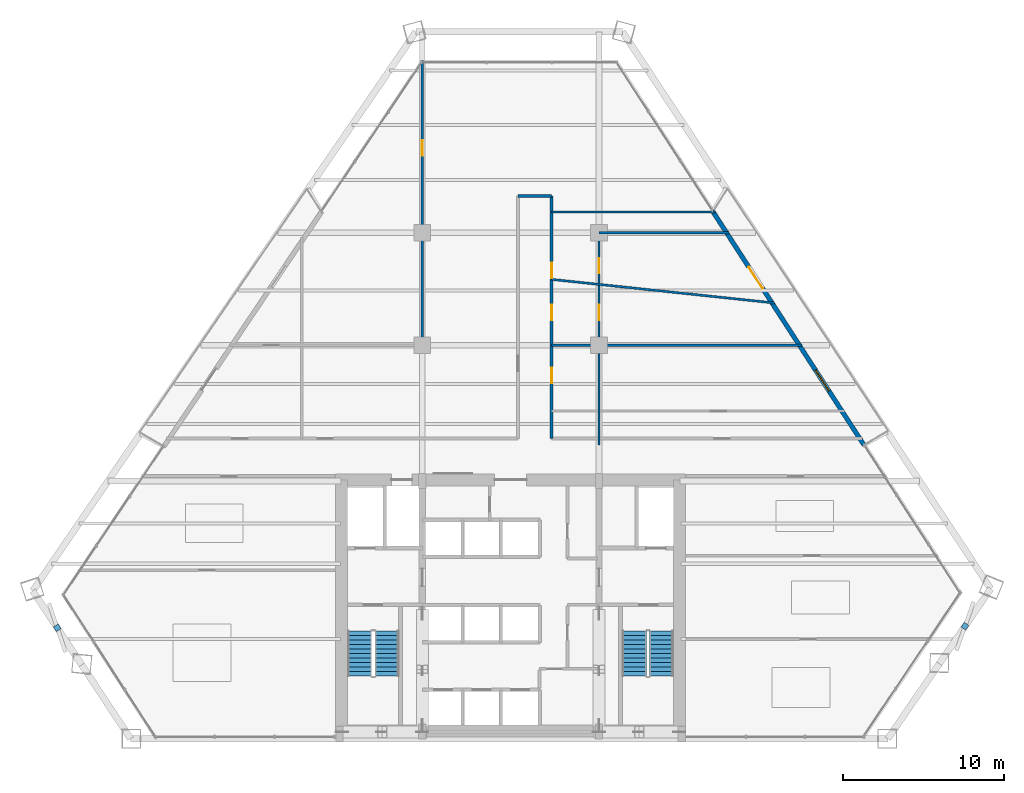
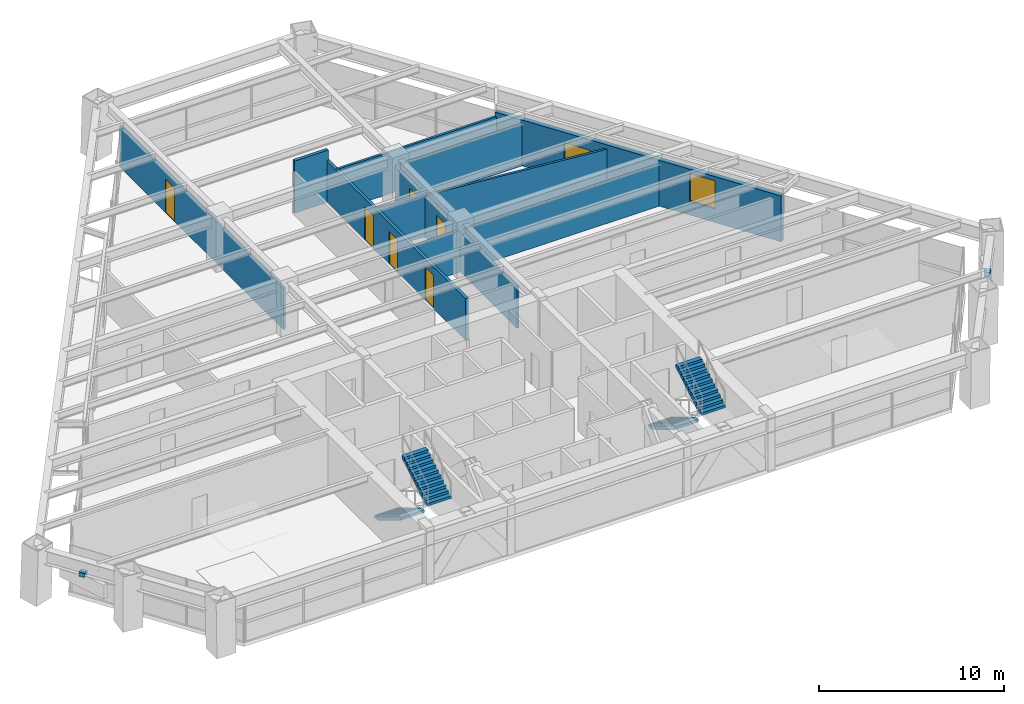
# One storey, part 12 of 14: 9 walls, 7 doors, 4 stair flights, 2 discrete accessories, 1 window, 8 openings, 2 elements without a shape of their own.
"""IFC4 building model written with IfcOpenShell, lengths in metres."""

from ifc_helpers import new_model, si_unit, direction, frame, frame_2d, origin, origin_2d, place, context, subcontext, project, spatial, polyline, rectangle, outline, extrude, source, transform, mapped, material, layer, layer_set, type_object, type_shapes, element, fill, aggregate, save


model = new_model("IFC4")

# Units and contexts
model_context = context("Model", 3, precision=1e-05, world=origin(), true_north=direction((0.0, 1.0)))
body_context = subcontext(model_context, "Body", "Model", "MODEL_VIEW")
ifc_project = project(units=[si_unit("LENGTHUNIT", "METRE"), si_unit("AREAUNIT", "SQUARE_METRE"), si_unit("VOLUMEUNIT", "CUBIC_METRE"), si_unit("PLANEANGLEUNIT", "RADIAN"), si_unit("MASSUNIT", "GRAM", prefix="KILO")], contexts=[model_context])

# Site, building, storey
site_placement = place(None, origin())
site = spatial("IfcSite", under=ifc_project, at=site_placement, CompositionType="ELEMENT")
building_placement = place(site_placement, origin())
building = spatial("IfcBuilding", under=site, at=building_placement, Name="Varnakhor Terracotta Tower", CompositionType="ELEMENT")
storey_placement = place(building_placement, frame((0.0, 0.0, 95.10009765625)))
storey = spatial("IfcBuildingStorey", under=building, at=storey_placement, Name="L23", CompositionType="ELEMENT", Elevation=95.10009765625)

# Wall, openings, doors
ifc_material_1 = material(Name="Fire-Rated Gypsum Stud Partition", Category="gypsum")
ifc_layer_1 = layer(ifc_material_1, 0.18505859375, Name="Fire-Rated Gypsum Stud Partition")
ifc_layer_set_1 = layer_set([ifc_layer_1], Name="Fire-Rated Gypsum Stud Partition")
wall_type_1 = type_object("IfcWallType", Name="WAL-CORR-185", PredefinedType="PARTITIONING", material=ifc_layer_set_1)
wall_1_placement = place(storey_placement, frame((2.550048828125, 18.699951171875, 0.0), z_axis=(0.0, 0.0, 1.0), x_axis=(0.0, 1.0, 0.0)))
wall_1 = element("IfcWall", 1, at=wall_1_placement, inside=storey, type_object=wall_type_1, Name="L23 Spine East Wall", PredefinedType="PARTITIONING", context=body_context, shape_type="SweptSolid", body=[
    extrude(rectangle(XDim=15.10009765625, YDim=0.18505859375, at=frame_2d((7.550048828125, 0.0))), origin(), (0.0, 0.0, 1.0), 2.746826171875),
])
opening_1_placement = place(wall_1_placement, frame((9.97998046875, 0.0, 0.0)))
opening_1 = element("IfcOpeningElement", 2, at=opening_1_placement, cuts=wall_1, Name="Opening DR-94", PredefinedType="OPENING", context=body_context, shape_type="SweptSolid", body=[
    extrude(rectangle(XDim=0.949951171875, YDim=2.199951171875, at=frame_2d((0.47509765625, 1.10009765625))), frame((0.0, 0.1025390625, 0.0), z_axis=(0.0, -1.0, 0.0), x_axis=(1.0, 0.0, 0.0)), (0.0, 0.0, 1.0), 0.205078125),
])
opening_2_placement = place(wall_1_placement, frame((3.446044921875, 0.0, 0.0)))
opening_2 = element("IfcOpeningElement", 3, at=opening_2_placement, cuts=wall_1, Name="Opening DR-94", PredefinedType="OPENING", context=body_context, shape_type="SweptSolid", body=[
    extrude(rectangle(XDim=0.949951171875, YDim=2.199951171875, at=frame_2d((0.47509765625, 1.10009765625))), frame((0.0, 0.1025390625, 0.0), z_axis=(0.0, -1.0, 0.0), x_axis=(1.0, 0.0, 0.0)), (0.0, 0.0, 1.0), 0.205078125),
])
opening_3_placement = place(wall_1_placement, frame((7.356201171875, 0.0, 0.0)))
opening_3 = element("IfcOpeningElement", 4, at=opening_3_placement, cuts=wall_1, Name="Opening DR-94", PredefinedType="OPENING", context=body_context, shape_type="SweptSolid", body=[
    extrude(rectangle(XDim=0.949951171875, YDim=2.199951171875, at=frame_2d((0.47509765625, 1.10009765625))), frame((0.0, 0.1025390625, 0.0), z_axis=(0.0, -1.0, 0.0), x_axis=(1.0, 0.0, 0.0)), (0.0, 0.0, 1.0), 0.205078125),
])
ifc_material_2 = material(Name="Acoustic Glazed-Vision Timber Office Door", Category="wood")
door_type_1 = type_object("IfcDoorType", Name="DR-OFF-950X2200", OperationType="NOTDEFINED", PredefinedType="DOOR", material=ifc_material_2)
shared_shape_1 = source(origin(), body_context, "Body", "SweptSolid", [
    extrude(rectangle(XDim=0.949951171875, YDim=2.199951171875, at=frame_2d((0.47509765625, 1.10009765625))), frame((0.0, 0.02490234375, 0.0), z_axis=(0.0, -1.0, 0.0), x_axis=(1.0, 0.0, 0.0)), (0.0, 0.0, 1.0), 0.050048828125),
])
type_shapes(door_type_1, [shared_shape_1])
door_1_placement = place(opening_1_placement, origin())
door_1 = element("IfcDoor", 5, at=door_1_placement, inside=storey, type_object=door_type_1, Name="L23 Spine East Door", OperationType="SINGLE_SWING_LEFT", OverallHeight=2.199951171875, OverallWidth=0.949951171875, PredefinedType="DOOR", context=body_context, shape_type="MappedRepresentation", body=[
    mapped(shared_shape_1, transform((0.0, 0.0, 0.0), scale=1.0)),
])
fill(opening_1, door_1)
door_2_placement = place(opening_2_placement, origin())
door_2 = element("IfcDoor", 6, at=door_2_placement, inside=storey, type_object=door_type_1, Name="L23 Advisory Office E2 B10 Door", OperationType="SINGLE_SWING_RIGHT", OverallHeight=2.199951171875, OverallWidth=0.949951171875, PredefinedType="DOOR", context=body_context, shape_type="MappedRepresentation", body=[
    mapped(shared_shape_1, transform((0.0, 0.0, 0.0), scale=1.0)),
])
fill(opening_2, door_2)
door_3_placement = place(opening_3_placement, origin())
door_3 = element("IfcDoor", 7, at=door_3_placement, inside=storey, type_object=door_type_1, Name="L23 Boardroom Apex B12 Door", OperationType="SINGLE_SWING_LEFT", OverallHeight=2.199951171875, OverallWidth=0.949951171875, PredefinedType="DOOR", context=body_context, shape_type="MappedRepresentation", body=[
    mapped(shared_shape_1, transform((0.0, 0.0, 0.0), scale=1.0)),
])
fill(opening_3, door_3)

# Wall
wall_2_placement = place(storey_placement, frame((0.449951171875, 33.800048828125, 0.0), z_axis=(0.0, 0.0, 1.0), x_axis=(1.0, 0.0, 0.0)))
element("IfcWall", 8, at=wall_2_placement, inside=storey, type_object=wall_type_1, Name="L23 Spine North End Wall", PredefinedType="PARTITIONING", context=body_context, shape_type="SweptSolid", body=[
    extrude(rectangle(XDim=2.10009765625, YDim=0.18505859375, at=frame_2d((1.050048828125, 0.0))), origin(), (0.0, 0.0, 1.0), 3.44189453125),
])

# Wall, openings, door, window
ifc_material_3 = material(Name="Extruded Architectural Terracotta Assembly", Category="masonry")
ifc_layer_2 = layer(ifc_material_3, 0.280029296875, Name="Extruded Architectural Terracotta Assembly")
ifc_layer_set_2 = layer_set([ifc_layer_2], Name="Extruded Architectural Terracotta Assembly")
wall_type_2 = type_object("IfcWallType", Name="WAL-EXT-TERRACOTTA-280", PredefinedType="SOLIDWALL", material=ifc_layer_set_2)
wall_3_placement = place(storey_placement, frame((12.557861328125, 32.869140625, 0.0), z_axis=(0.0, 0.0, 1.0), x_axis=(0.543391713386, -0.839479270634, 0.0)))
wall_3 = element("IfcWall", 9, at=wall_3_placement, inside=storey, type_object=wall_type_2, Name="L23 E Loggia Insulated Terracotta Wall", PredefinedType="SOLIDWALL", context=body_context, shape_type="SweptSolid", body=[
    extrude(rectangle(XDim=17.370849609375, YDim=0.280029296875, at=frame_2d((8.685546875, 0.0))), origin(), (0.0, 0.0, 1.0), 3.02978515625),
])
opening_4_placement = place(wall_3_placement, frame((4.1689453125, 0.0, 0.0)))
opening_4 = element("IfcOpeningElement", 10, at=opening_4_placement, cuts=wall_3, Name="Opening DR-62", PredefinedType="OPENING", context=body_context, shape_type="SweptSolid", body=[
    extrude(rectangle(XDim=1.60009765625, YDim=2.35009765625, at=frame_2d((0.800048828125, 1.175048828125))), frame((0.0, 0.14990234375, 0.0), z_axis=(0.0, -1.0, 0.0), x_axis=(1.0, 0.0, 0.0)), (0.0, 0.0, 1.0), 0.300048828125),
])
opening_5_placement = place(wall_3_placement, frame((11.812255859375, 0.0, 0.89990234375)))
opening_5 = element("IfcOpeningElement", 11, at=opening_5_placement, cuts=wall_3, Name="Opening WN-57", PredefinedType="OPENING", context=body_context, shape_type="SweptSolid", body=[
    extrude(rectangle(XDim=1.550048828125, YDim=1.85009765625, at=frame_2d((0.77490234375, 0.925048828125))), frame((0.0, 0.14990234375, 0.0), z_axis=(0.0, -1.0, 0.0), x_axis=(1.0, 0.0, 0.0)), (0.0, 0.0, 1.0), 0.300048828125),
])
ifc_material_4 = material(Name="Thermally Broken Sliding Glass Loggia Door", Category="glass")
door_type_2 = type_object("IfcDoorType", Name="DR-EXT-LOGGIA-1600X2350", OperationType="NOTDEFINED", PredefinedType="DOOR", material=ifc_material_4)
shared_shape_2 = source(origin(), body_context, "Body", "SweptSolid", [
    extrude(rectangle(XDim=1.60009765625, YDim=2.35009765625, at=frame_2d((0.800048828125, 1.175048828125))), frame((0.0, 0.02490234375, 0.0), z_axis=(0.0, -1.0, 0.0), x_axis=(1.0, 0.0, 0.0)), (0.0, 0.0, 1.0), 0.050048828125),
])
type_shapes(door_type_2, [shared_shape_2])
door_4_placement = place(opening_4_placement, origin())
door_4 = element("IfcDoor", 12, at=door_4_placement, inside=storey, type_object=door_type_2, Name="L23 E Recessed Loggia Sliding Door", OperationType="SLIDING_TO_RIGHT", OverallHeight=2.35009765625, OverallWidth=1.60009765625, PredefinedType="DOOR", context=body_context, shape_type="MappedRepresentation", body=[
    mapped(shared_shape_2, transform((0.0, 0.0, 0.0), scale=1.0)),
])
fill(opening_4, door_4)
ifc_material_5 = material(Name="Solar-Control Low-E Insulated Glass Unit", Category="glass")
window_type = type_object("IfcWindowType", Name="WIN-OFF-1650X2100", PartitioningType="SINGLE_PANEL", PredefinedType="WINDOW", material=ifc_material_5)
shared_shape_3 = source(origin(), body_context, "Body", "SweptSolid", [
    extrude(rectangle(XDim=1.550048828125, YDim=1.85009765625, at=frame_2d((0.77490234375, 0.925048828125))), frame((0.0, 0.030029296875, 0.0), z_axis=(0.0, -1.0, 0.0), x_axis=(1.0, 0.0, 0.0)), (0.0, 0.0, 1.0), 0.06005859375),
])
type_shapes(window_type, [shared_shape_3])
window_placement = place(opening_5_placement, origin())
window = element("IfcWindow", 13, at=window_placement, inside=storey, type_object=window_type, Name="L23 E Facet Punched Window", OverallHeight=1.85009765625, OverallWidth=1.550048828125, PartitioningType="SINGLE_PANEL", PredefinedType="WINDOW", context=body_context, shape_type="MappedRepresentation", body=[
    mapped(shared_shape_3, transform((0.0, 0.0, 0.0), scale=1.0)),
])
fill(opening_5, window)

# Wall, opening, door
ifc_material_6 = material(Name="Acoustic Metal-Stud Partition", Category="gypsum")
ifc_layer_3 = layer(ifc_material_6, 0.139892578125, Name="Acoustic Metal-Stud Partition")
ifc_layer_set_3 = layer_set([ifc_layer_3], Name="Acoustic Metal-Stud Partition")
wall_type_3 = type_object("IfcWallType", Name="WAL-PART-140", PredefinedType="PARTITIONING", material=ifc_layer_set_3)
wall_4_placement = place(storey_placement, frame((-5.5, 24.5, 0.0), z_axis=(0.0, 0.0, 1.0), x_axis=(0.0, 1.0, 0.0)))
wall_4 = element("IfcWall", 14, at=wall_4_placement, inside=storey, type_object=wall_type_3, Name="L23 West Upper Column Wall", PredefinedType="PARTITIONING", context=body_context, shape_type="SweptSolid", body=[
    extrude(rectangle(XDim=17.715087890625, YDim=0.139892578125, at=frame_2d((8.857421875, 0.0))), origin(), (0.0, 0.0, 1.0), 2.746826171875),
])
opening_6_placement = place(wall_4_placement, frame((11.800537109375, 0.0, 0.0)))
opening_6 = element("IfcOpeningElement", 15, at=opening_6_placement, cuts=wall_4, Name="Opening DR-94", PredefinedType="OPENING", context=body_context, shape_type="SweptSolid", body=[
    extrude(rectangle(XDim=0.949951171875, YDim=2.199951171875, at=frame_2d((0.47509765625, 1.10009765625))), frame((0.0, 0.080078125, 0.0), z_axis=(0.0, -1.0, 0.0), x_axis=(1.0, 0.0, 0.0)), (0.0, 0.0, 1.0), 0.159912109375),
])
door_5_placement = place(opening_6_placement, origin())
door_5 = element("IfcDoor", 16, at=door_5_placement, inside=storey, type_object=door_type_1, Name="L23 Client Lounge Door", OperationType="SINGLE_SWING_LEFT", OverallHeight=2.199951171875, OverallWidth=0.949951171875, PredefinedType="DOOR", context=body_context, shape_type="MappedRepresentation", body=[
    mapped(shared_shape_1, transform((0.0, 0.0, 0.0), scale=1.0)),
])
fill(opening_6, door_5)

# Wall, openings, doors
wall_5_placement = place(storey_placement, frame((5.5, 18.300048828125, 0.0), z_axis=(0.0, 0.0, 1.0), x_axis=(0.0, 1.0, 0.0)))
wall_5 = element("IfcWall", 17, at=wall_5_placement, inside=storey, type_object=wall_type_3, Name="L23 East Lower Column Wall", PredefinedType="PARTITIONING", context=body_context, shape_type="SweptSolid", body=[
    extrude(rectangle(XDim=13.199951171875, YDim=0.139892578125, at=frame_2d((6.60009765625, 0.0))), origin(), (0.0, 0.0, 1.0), 2.746826171875),
])
opening_7_placement = place(wall_5_placement, frame((10.671142578125, 0.0, 0.0)))
opening_7 = element("IfcOpeningElement", 18, at=opening_7_placement, cuts=wall_5, Name="Opening DR-94", PredefinedType="OPENING", context=body_context, shape_type="SweptSolid", body=[
    extrude(rectangle(XDim=0.949951171875, YDim=2.199951171875, at=frame_2d((0.47509765625, 1.10009765625))), frame((0.0, 0.080078125, 0.0), z_axis=(0.0, -1.0, 0.0), x_axis=(1.0, 0.0, 0.0)), (0.0, 0.0, 1.0), 0.159912109375),
])
opening_8_placement = place(wall_5_placement, frame((7.767333984375, 0.0, 0.0)))
opening_8 = element("IfcOpeningElement", 19, at=opening_8_placement, cuts=wall_5, Name="Opening DR-94", PredefinedType="OPENING", context=body_context, shape_type="SweptSolid", body=[
    extrude(rectangle(XDim=0.949951171875, YDim=2.199951171875, at=frame_2d((0.47509765625, 1.10009765625))), frame((0.0, 0.080078125, 0.0), z_axis=(0.0, -1.0, 0.0), x_axis=(1.0, 0.0, 0.0)), (0.0, 0.0, 1.0), 0.159912109375),
])
door_6_placement = place(opening_7_placement, origin())
door_6 = element("IfcDoor", 20, at=door_6_placement, inside=storey, type_object=door_type_1, Name="L23 Pantry Kitchenette Door", OperationType="SINGLE_SWING_RIGHT", OverallHeight=2.199951171875, OverallWidth=0.949951171875, PredefinedType="DOOR", context=body_context, shape_type="MappedRepresentation", body=[
    mapped(shared_shape_1, transform((0.0, 0.0, 0.0), scale=1.0)),
])
fill(opening_7, door_6)
door_7_placement = place(opening_8_placement, origin())
door_7 = element("IfcDoor", 21, at=door_7_placement, inside=storey, type_object=door_type_1, Name="L23 Boardroom Apex Door", OperationType="SINGLE_SWING_LEFT", OverallHeight=2.199951171875, OverallWidth=0.949951171875, PredefinedType="DOOR", context=body_context, shape_type="MappedRepresentation", body=[
    mapped(shared_shape_1, transform((0.0, 0.0, 0.0), scale=1.0)),
])
fill(opening_8, door_7)

# Walls
wall_6_placement = place(storey_placement, frame((5.5, 31.5, 0.0), z_axis=(0.0, 0.0, 1.0), x_axis=(1.0, 0.0, 0.0)))
element("IfcWall", 22, at=wall_6_placement, inside=storey, type_object=wall_type_3, Name="L23 North East Column Wall", PredefinedType="PARTITIONING", context=body_context, shape_type="SweptSolid", body=[
    extrude(rectangle(XDim=8.098876953125, YDim=0.139892578125, at=frame_2d((4.04931640625, 0.0))), origin(), (0.0, 0.0, 1.0), 2.746826171875),
])
wall_7_placement = place(storey_placement, frame((2.550048828125, 24.5, 0.0), z_axis=(0.0, 0.0, 1.0), x_axis=(1.0, 0.0, 0.0)))
element("IfcWall", 23, at=wall_7_placement, inside=storey, type_object=wall_type_3, Name="L23 East Wing Cut 2", PredefinedType="PARTITIONING", context=body_context, shape_type="SweptSolid", body=[
    extrude(rectangle(XDim=15.579833984375, YDim=0.139892578125, at=frame_2d((7.7900390625, 0.0))), origin(), (0.0, 0.0, 1.0), 2.746826171875),
])
wall_8_placement = place(storey_placement, frame((2.550048828125, 28.60009765625, 0.0), z_axis=(0.0, 0.0, 1.0), x_axis=(0.994445276421, -0.105254891588, 0.0)))
element("IfcWall", 24, at=wall_8_placement, inside=storey, type_object=wall_type_3, Name="L23 East Wing Cut 3", PredefinedType="PARTITIONING", context=body_context, shape_type="SweptSolid", body=[
    extrude(rectangle(XDim=13.9541015625, YDim=0.139892578125, at=frame_2d((6.97705078125, 0.0))), origin(), (0.0, 0.0, 1.0), 2.746826171875),
])
wall_9_placement = place(storey_placement, frame((2.550048828125, 32.800048828125, 0.0), z_axis=(0.0, 0.0, 1.0), x_axis=(1.0, 0.0, 0.0)))
element("IfcWall", 25, at=wall_9_placement, inside=storey, type_object=wall_type_3, Name="L23 East Wing Cut 4", PredefinedType="PARTITIONING", context=body_context, shape_type="SweptSolid", body=[
    extrude(rectangle(XDim=10.20751953125, YDim=0.139892578125, at=frame_2d((5.103759765625, 0.0))), origin(), (0.0, 0.0, 1.0), 2.746826171875),
])

# Stair, stair flights
ifc_material_7 = material(Name="Concrete C40/50", Category="concrete")
stair_type = type_object("IfcStairType", Name="STR-CORE-OFFICE-1500", PredefinedType="HALF_TURN_STAIR", material=ifc_material_7)
stair_1_placement = place(storey_placement, origin())
stair_1 = element("IfcStair", 26, at=stair_1_placement, inside=storey, type_object=stair_type, Name="L23 Core Exit Stair ST-1", PredefinedType="HALF_TURN_STAIR")
stair_flight_type = type_object("IfcStairFlightType", Name="FLT-CORE-1500", PredefinedType="STRAIGHT", material=ifc_material_7)
stair_flight_1_placement = place(storey_placement, frame((-9.39990234375, 6.7099609375, 0.0), z_axis=(0.0, 0.0, 1.0), x_axis=(0.0, -1.0, 0.0)))
stair_flight_1 = element("IfcStairFlight", 27, at=stair_flight_1_placement, type_object=stair_flight_type, Name="ST-1 flight 1", NumberOfRisers=11, NumberOfTreads=10, PredefinedType="STRAIGHT", RiserHeight=0.168181818, TreadLength=0.28, context=body_context, shape_type="SweptSolid", body=[
    extrude(outline(polyline([(0.0, 0.0), (0.0, 0.168212890625), (0.280029296875, 0.168212890625), (0.280029296875, 0.33642578125), (0.56005859375, 0.33642578125), (0.56005859375, 0.504638671875), (0.840087890625, 0.504638671875), (0.840087890625, 0.672607421875), (1.1201171875, 0.672607421875), (1.1201171875, 0.8408203125), (1.39990234375, 0.8408203125), (1.39990234375, 1.009033203125), (1.679931640625, 1.009033203125), (1.679931640625, 1.17724609375), (1.9599609375, 1.17724609375), (1.9599609375, 1.345458984375), (2.239990234375, 1.345458984375), (2.239990234375, 1.513671875), (2.52001953125, 1.513671875), (2.52001953125, 1.681884765625), (2.800048828125, 1.681884765625), (2.800048828125, 1.85009765625), (2.800048828125, 1.495361328125), (0.310546875, 0.0), (0.0, 0.0)])), frame((0.0, 0.75, 0.0), z_axis=(0.0, -1.0, 0.0), x_axis=(1.0, 0.0, 0.0)), (0.0, 0.0, 1.0), 1.5),
])
stair_flight_2_placement = place(storey_placement, frame((-7.699951171875, 3.909912109375, 1.849853515625), z_axis=(0.0, 0.0, 1.0), x_axis=(0.0, 1.0, 0.0)))
stair_flight_2 = element("IfcStairFlight", 28, at=stair_flight_2_placement, type_object=stair_flight_type, Name="ST-1 flight 2", NumberOfRisers=11, NumberOfTreads=10, PredefinedType="STRAIGHT", RiserHeight=0.168181818, TreadLength=0.28, context=body_context, shape_type="SweptSolid", body=[
    extrude(outline(polyline([(0.0, 0.0), (0.0, 0.168212890625), (0.280029296875, 0.168212890625), (0.280029296875, 0.33642578125), (0.56005859375, 0.33642578125), (0.56005859375, 0.504638671875), (0.840087890625, 0.504638671875), (0.840087890625, 0.672607421875), (1.1201171875, 0.672607421875), (1.1201171875, 0.8408203125), (1.39990234375, 0.8408203125), (1.39990234375, 1.009033203125), (1.679931640625, 1.009033203125), (1.679931640625, 1.17724609375), (1.9599609375, 1.17724609375), (1.9599609375, 1.345458984375), (2.239990234375, 1.345458984375), (2.239990234375, 1.513671875), (2.52001953125, 1.513671875), (2.52001953125, 1.681884765625), (2.800048828125, 1.681884765625), (2.800048828125, 1.85009765625), (2.800048828125, 1.495361328125), (0.310546875, 0.0), (0.0, 0.0)])), frame((0.0, 0.75, 0.0), z_axis=(0.0, -1.0, 0.0), x_axis=(1.0, 0.0, 0.0)), (0.0, 0.0, 1.0), 1.5),
])
aggregate(stair_1, [stair_flight_1, stair_flight_2])

stair_2_placement = place(storey_placement, origin())
stair_2 = element("IfcStair", 29, at=stair_2_placement, inside=storey, type_object=stair_type, Name="L23 Core Exit Stair ST-2", PredefinedType="HALF_TURN_STAIR")
stair_flight_3_placement = place(storey_placement, frame((7.699951171875, 6.7099609375, 0.0), z_axis=(0.0, 0.0, 1.0), x_axis=(0.0, -1.0, 0.0)))
stair_flight_3 = element("IfcStairFlight", 30, at=stair_flight_3_placement, type_object=stair_flight_type, Name="ST-2 flight 1", NumberOfRisers=11, NumberOfTreads=10, PredefinedType="STRAIGHT", RiserHeight=0.168181818, TreadLength=0.28, context=body_context, shape_type="SweptSolid", body=[
    extrude(outline(polyline([(0.0, 0.0), (0.0, 0.168212890625), (0.280029296875, 0.168212890625), (0.280029296875, 0.33642578125), (0.56005859375, 0.33642578125), (0.56005859375, 0.504638671875), (0.840087890625, 0.504638671875), (0.840087890625, 0.672607421875), (1.1201171875, 0.672607421875), (1.1201171875, 0.8408203125), (1.39990234375, 0.8408203125), (1.39990234375, 1.009033203125), (1.679931640625, 1.009033203125), (1.679931640625, 1.17724609375), (1.9599609375, 1.17724609375), (1.9599609375, 1.345458984375), (2.239990234375, 1.345458984375), (2.239990234375, 1.513671875), (2.52001953125, 1.513671875), (2.52001953125, 1.681884765625), (2.800048828125, 1.681884765625), (2.800048828125, 1.85009765625), (2.800048828125, 1.495361328125), (0.310546875, 0.0), (0.0, 0.0)])), frame((0.0, 0.75, 0.0), z_axis=(0.0, -1.0, 0.0), x_axis=(1.0, 0.0, 0.0)), (0.0, 0.0, 1.0), 1.5),
])
stair_flight_4_placement = place(storey_placement, frame((9.39990234375, 3.909912109375, 1.849853515625), z_axis=(0.0, 0.0, 1.0), x_axis=(0.0, 1.0, 0.0)))
stair_flight_4 = element("IfcStairFlight", 31, at=stair_flight_4_placement, type_object=stair_flight_type, Name="ST-2 flight 2", NumberOfRisers=11, NumberOfTreads=10, PredefinedType="STRAIGHT", RiserHeight=0.168181818, TreadLength=0.28, context=body_context, shape_type="SweptSolid", body=[
    extrude(outline(polyline([(0.0, 0.0), (0.0, 0.168212890625), (0.280029296875, 0.168212890625), (0.280029296875, 0.33642578125), (0.56005859375, 0.33642578125), (0.56005859375, 0.504638671875), (0.840087890625, 0.504638671875), (0.840087890625, 0.672607421875), (1.1201171875, 0.672607421875), (1.1201171875, 0.8408203125), (1.39990234375, 0.8408203125), (1.39990234375, 1.009033203125), (1.679931640625, 1.009033203125), (1.679931640625, 1.17724609375), (1.9599609375, 1.17724609375), (1.9599609375, 1.345458984375), (2.239990234375, 1.345458984375), (2.239990234375, 1.513671875), (2.52001953125, 1.513671875), (2.52001953125, 1.681884765625), (2.800048828125, 1.681884765625), (2.800048828125, 1.85009765625), (2.800048828125, 1.495361328125), (0.310546875, 0.0), (0.0, 0.0)])), frame((0.0, 0.75, 0.0), z_axis=(0.0, -1.0, 0.0), x_axis=(1.0, 0.0, 0.0)), (0.0, 0.0, 1.0), 1.5),
])
aggregate(stair_2, [stair_flight_3, stair_flight_4])

# Discrete accessories
ifc_material_8 = material(Name="Stainless Steel Fixing Bracket", Category="steel")
discrete_accessory_type = type_object("IfcDiscreteAccessoryType", Name="BRACKET-TERRACOTTA-SCREEN", PredefinedType="BRACKET", material=ifc_material_8)
shared_shape_4 = source(origin(), body_context, "Body", "SweptSolid", [
    extrude(rectangle(XDim=0.35009765625, YDim=0.35009765625, at=origin_2d()), origin(), (0.0, 0.0, 1.0), 0.280029296875),
])
type_shapes(discrete_accessory_type, [shared_shape_4])
for number, where, z_axis, x_axis, name in (
    (32, (28.284912109375, 7.0078125, 2.39306640625), (0.0, 0.0, 1.0), (0.565341369871, 0.824857039439, 0.0), "L23 E Screen Fixing Bracket"),
    (33, (-28.226806640625, 6.909423828125, 2.39306640625), (0.0, 0.0, 1.0), (0.551529405932, -0.834155449777, 0.0), "L23 W Screen Fixing Bracket"),
):
    element("IfcDiscreteAccessory", number, at=place(storey_placement, frame(where, z_axis=z_axis, x_axis=x_axis)), inside=storey, type_object=discrete_accessory_type, Name=name, PredefinedType="BRACKET", context=body_context, shape_type="MappedRepresentation", body=[
        mapped(shared_shape_4, transform((0.0, 0.0, 0.0), scale=1.0)),
    ])

save(model, "model.ifc")
